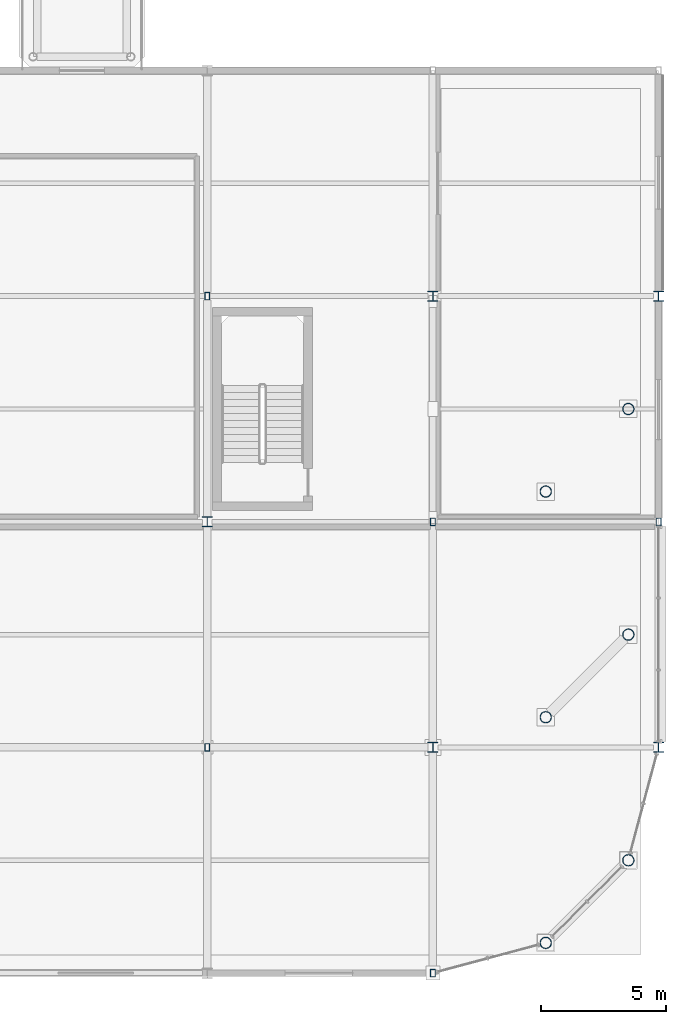
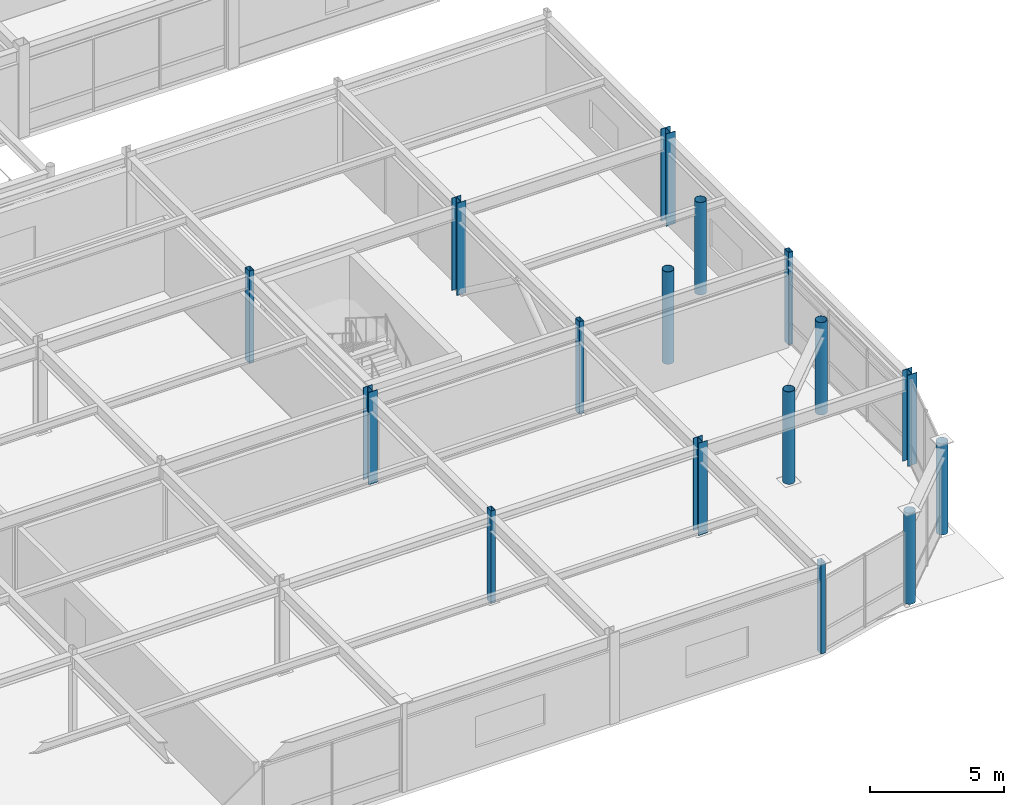
# One storey, part 17 of 105: 16 columns.
"""IFC4 building model written with IfcOpenShell, lengths in metres."""

from ifc_helpers import new_model, si_unit, direction, frame, origin, origin_2d, place, context, subcontext, project, spatial, hollow_rectangle, hollow_circle, i_section, extrude, material, material_profile, profile_set, type_object, element, save


model = new_model("IFC4")

# Units and contexts
model_context = context("Model", 3, precision=1e-05, world=origin(), true_north=direction((0.0, 1.0)))
body_context = subcontext(model_context, "Body", "Model", "MODEL_VIEW")
ifc_project = project(units=[si_unit("LENGTHUNIT", "METRE"), si_unit("AREAUNIT", "SQUARE_METRE"), si_unit("VOLUMEUNIT", "CUBIC_METRE"), si_unit("PLANEANGLEUNIT", "RADIAN"), si_unit("MASSUNIT", "GRAM", prefix="KILO")], contexts=[model_context])

# Site, building, storey
site_placement = place(None, origin())
site = spatial("IfcSite", under=ifc_project, at=site_placement, CompositionType="ELEMENT")
building_placement = place(site_placement, origin())
building = spatial("IfcBuilding", under=site, at=building_placement, Name="Suzunagisa Mobility Hub", CompositionType="ELEMENT")
storey_placement = place(building_placement, frame((0.0, 0.0, 5.10009765625)))
storey = spatial("IfcBuildingStorey", under=building, at=storey_placement, Name="L01", CompositionType="ELEMENT", Elevation=5.10009765625)

# Columns
ifc_material = material(Name="Steel SN490B", Category="steel")
ifc_material_profile_1 = material_profile(ifc_material, hollow_circle(Radius=0.228515625, WallThickness=0.01611328125, at=origin_2d()), Name="CHS-457.2x16.0")
ifc_profile_set_1 = profile_set([ifc_material_profile_1], Name="Steel SN490B")
column_type_1 = type_object("IfcColumnType", Name="Steel Column CL-08 CHS-457.2x16.0", PredefinedType="COLUMN", material=ifc_profile_set_1)
column_1_placement = place(storey_placement, frame((175.5, 1.205810546875, 0.0), z_axis=(0.0, 0.0, 1.0), x_axis=(1.0, 0.0, 0.0)))
element("IfcColumn", 1, at=column_1_placement, inside=storey, type_object=column_type_1, Name="L01 Column 309", PredefinedType="COLUMN", context=body_context, shape_type="SweptSolid", body=[
    extrude(hollow_circle(Radius=0.228515625, WallThickness=0.01611328125, at=origin_2d()), origin(), (0.0, 0.0, 1.0), 4.139892578125),
])
for number, where, z_axis, x_axis, name in (
    (2, (175.5, 10.205810546875, 0.0), (0.0, 0.0, 1.0), (1.0, 0.0, 0.0), "L01 Column 310"),
    (3, (175.5, 19.205810546875, 0.0), (0.0, 0.0, 1.0), (1.0, 0.0, 0.0), "L01 Column 311"),
):
    element("IfcColumn", number, at=place(storey_placement, frame(where, z_axis=z_axis, x_axis=x_axis)), inside=storey, type_object=column_type_1, Name=name, PredefinedType="COLUMN", context=body_context, shape_type="SweptSolid", body=[
        extrude(hollow_circle(Radius=0.228515625, WallThickness=0.01611328125, at=origin_2d()), origin(), (0.0, 0.0, 1.0), 4.199951171875),
    ])
column_2_placement = place(storey_placement, frame((178.794189453125, 4.5, 0.0), z_axis=(0.0, 0.0, 1.0), x_axis=(1.0, 0.0, 0.0)))
element("IfcColumn", 4, at=column_2_placement, inside=storey, type_object=column_type_1, Name="L01 Column 315", PredefinedType="COLUMN", context=body_context, shape_type="SweptSolid", body=[
    extrude(hollow_circle(Radius=0.228515625, WallThickness=0.01611328125, at=origin_2d()), origin(), (0.0, 0.0, 1.0), 4.139892578125),
])
for number, where, z_axis, x_axis, name in (
    (5, (178.794189453125, 13.5, 0.0), (0.0, 0.0, 1.0), (1.0, 0.0, 0.0), "L01 Column 316"),
    (6, (178.794189453125, 22.5, 0.0), (0.0, 0.0, 1.0), (1.0, 0.0, 0.0), "L01 Column 317"),
):
    element("IfcColumn", number, at=place(storey_placement, frame(where, z_axis=z_axis, x_axis=x_axis)), inside=storey, type_object=column_type_1, Name=name, PredefinedType="COLUMN", context=body_context, shape_type="SweptSolid", body=[
        extrude(hollow_circle(Radius=0.228515625, WallThickness=0.01611328125, at=origin_2d()), origin(), (0.0, 0.0, 1.0), 4.199951171875),
    ])
ifc_material_profile_2 = material_profile(ifc_material, i_section(OverallWidth=0.39990234375, OverallDepth=0.39990234375, WebThickness=0.012939453125, FlangeThickness=0.02099609375, FilletRadius=0.01611328125, at=origin_2d()), Name="H-400x400x13x21")
ifc_profile_set_2 = profile_set([ifc_material_profile_2], Name="Steel SN490B")
column_type_2 = type_object("IfcColumnType", Name="Steel Column CL-10 H-400x400x13x21", PredefinedType="COLUMN", material=ifc_profile_set_2)
for number, where, z_axis, x_axis, name in (
    (7, (162.0, 18.0, 0.0), (0.0, 0.0, 1.0), (1.0, 0.0, 0.0), "L01 Column 285"),
    (8, (171.0, 9.0, 0.0), (0.0, 0.0, 1.0), (1.0, 0.0, 0.0), "L01 Column 297"),
    (9, (171.0, 27.0, 0.0), (0.0, 0.0, 1.0), (1.0, 0.0, 0.0), "L01 Column 299"),
):
    element("IfcColumn", number, at=place(storey_placement, frame(where, z_axis=z_axis, x_axis=x_axis)), inside=storey, type_object=column_type_2, Name=name, PredefinedType="COLUMN", context=body_context, shape_type="SweptSolid", body=[
        extrude(i_section(OverallWidth=0.39990234375, OverallDepth=0.39990234375, WebThickness=0.012939453125, FlangeThickness=0.02099609375, FilletRadius=0.01611328125, at=origin_2d()), origin(), (0.0, 0.0, 1.0), 4.199951171875),
    ])
column_3_placement = place(storey_placement, frame((180.0, 9.0, 0.0), z_axis=(0.0, 0.0, 1.0), x_axis=(1.0, 0.0, 0.0)))
element("IfcColumn", 10, at=column_3_placement, inside=storey, type_object=column_type_2, Name="L01 Column 321", PredefinedType="COLUMN", context=body_context, shape_type="SweptSolid", body=[
    extrude(i_section(OverallWidth=0.39990234375, OverallDepth=0.39990234375, WebThickness=0.012939453125, FlangeThickness=0.02099609375, FilletRadius=0.01611328125, at=origin_2d()), origin(), (0.0, 0.0, 1.0), 4.139892578125),
])
column_4_placement = place(storey_placement, frame((180.0, 27.0, 0.0), z_axis=(0.0, 0.0, 1.0), x_axis=(1.0, 0.0, 0.0)))
element("IfcColumn", 11, at=column_4_placement, inside=storey, type_object=column_type_2, Name="L01 Column 323", PredefinedType="COLUMN", context=body_context, shape_type="SweptSolid", body=[
    extrude(i_section(OverallWidth=0.39990234375, OverallDepth=0.39990234375, WebThickness=0.012939453125, FlangeThickness=0.02099609375, FilletRadius=0.01611328125, at=origin_2d()), origin(), (0.0, 0.0, 1.0), 4.199951171875),
])
ifc_material_profile_3 = material_profile(ifc_material, hollow_rectangle(XDim=0.199951171875, YDim=0.300048828125, WallThickness=0.011962890625, at=origin_2d()), Name="RHS-300x200x12")
ifc_profile_set_3 = profile_set([ifc_material_profile_3], Name="Steel SN490B")
column_type_3 = type_object("IfcColumnType", Name="Steel Column CL-15 RHS-300x200x12", PredefinedType="COLUMN", material=ifc_profile_set_3)
for number, where, z_axis, x_axis, name in (
    (12, (162.0, 9.0, 0.0), (0.0, 0.0, 1.0), (1.0, 0.0, 0.0), "L01 Column 284"),
    (13, (162.0, 27.0, 0.0), (0.0, 0.0, 1.0), (1.0, 0.0, 0.0), "L01 Column 286"),
):
    element("IfcColumn", number, at=place(storey_placement, frame(where, z_axis=z_axis, x_axis=x_axis)), inside=storey, type_object=column_type_3, Name=name, PredefinedType="COLUMN", context=body_context, shape_type="SweptSolid", body=[
        extrude(hollow_rectangle(XDim=0.199951171875, YDim=0.300048828125, WallThickness=0.011962890625, at=origin_2d()), origin(), (0.0, 0.0, 1.0), 4.199951171875),
    ])
column_5_placement = place(storey_placement, frame((171.0, 0.0, 0.0), z_axis=(0.0, 0.0, 1.0), x_axis=(1.0, 0.0, 0.0)))
element("IfcColumn", 14, at=column_5_placement, inside=storey, type_object=column_type_3, Name="L01 Column 296", PredefinedType="COLUMN", context=body_context, shape_type="SweptSolid", body=[
    extrude(hollow_rectangle(XDim=0.199951171875, YDim=0.300048828125, WallThickness=0.011962890625, at=origin_2d()), origin(), (0.0, 0.0, 1.0), 4.139892578125),
])
for number, where, z_axis, x_axis, name in (
    (15, (171.0, 18.0, 0.0), (0.0, 0.0, 1.0), (1.0, 0.0, 0.0), "L01 Column 298"),
    (16, (180.0, 18.0, 0.0), (0.0, 0.0, 1.0), (1.0, 0.0, 0.0), "L01 Column 322"),
):
    element("IfcColumn", number, at=place(storey_placement, frame(where, z_axis=z_axis, x_axis=x_axis)), inside=storey, type_object=column_type_3, Name=name, PredefinedType="COLUMN", context=body_context, shape_type="SweptSolid", body=[
        extrude(hollow_rectangle(XDim=0.199951171875, YDim=0.300048828125, WallThickness=0.011962890625, at=origin_2d()), origin(), (0.0, 0.0, 1.0), 4.199951171875),
    ])

save(model, "model.ifc")
